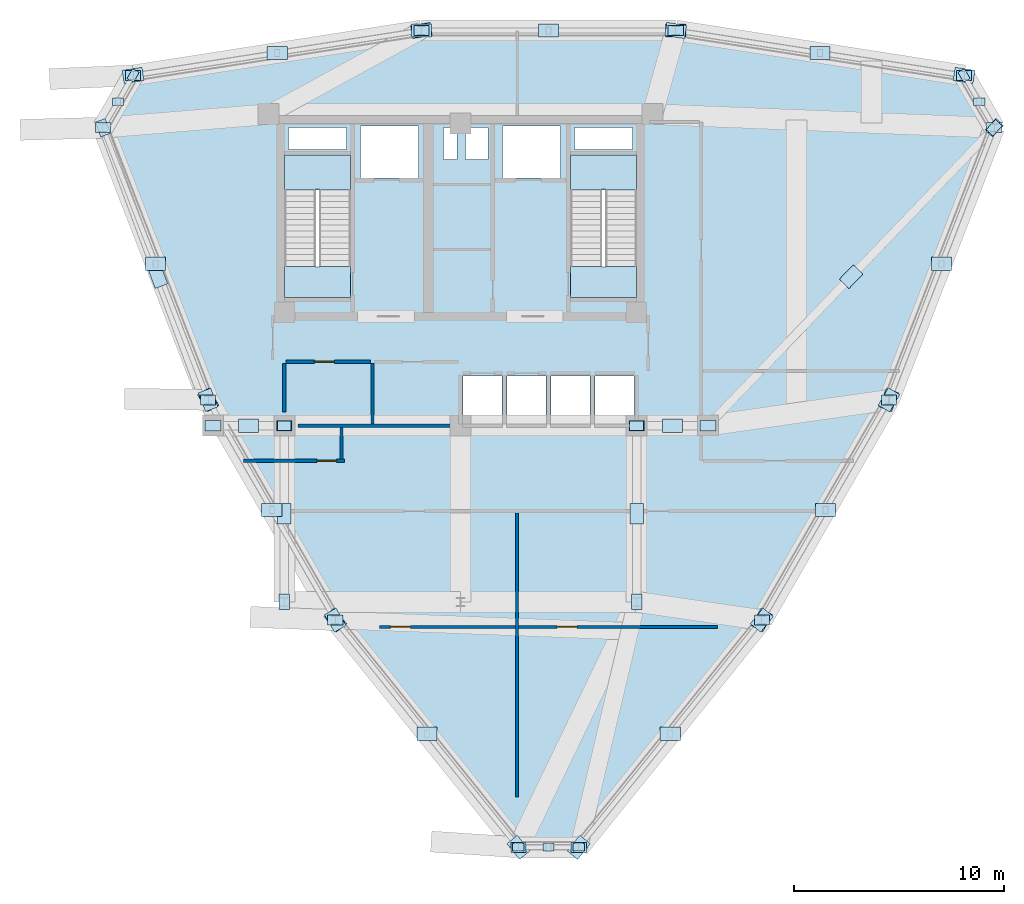
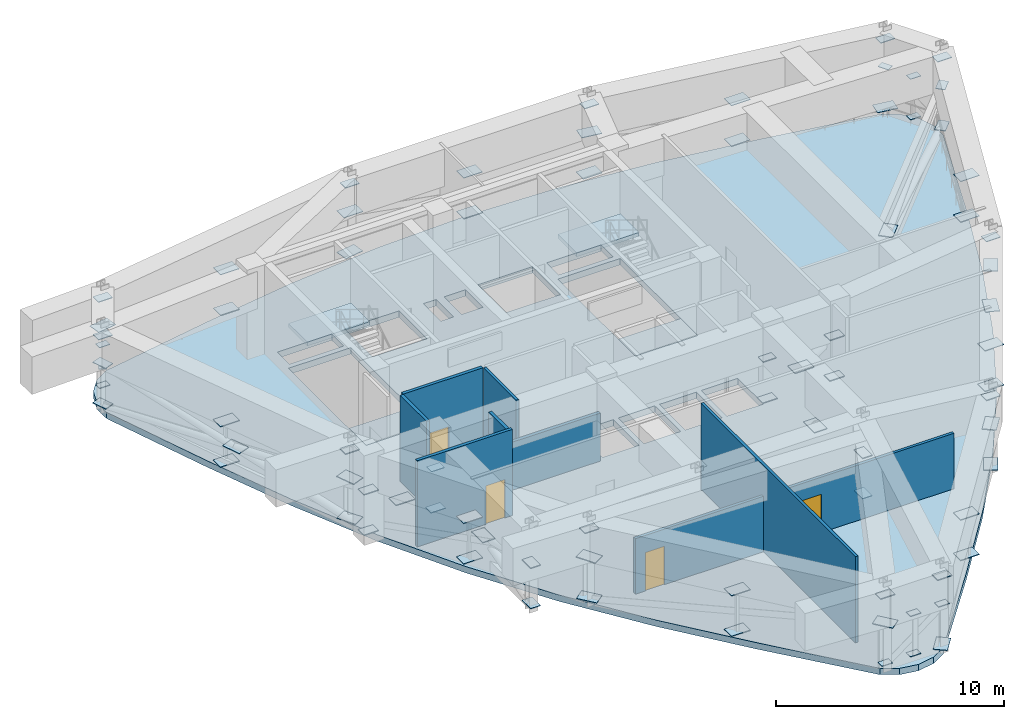
# One storey, part 7 of 11: 78 plates, 8 walls, 5 slabs, 4 doors, 4 openings, 2 elements without a shape of their own.
"""IFC4 building model written with IfcOpenShell, lengths in metres."""

from ifc_helpers import new_model, si_unit, derived_unit, direction, frame, frame_2d, origin, origin_2d, place, context, subcontext, project, spatial, polyline, rectangle, outline, extrude, source, transform, mapped, material, layer, layer_set, type_object, element, fill, aggregate, save


model = new_model("IFC4")

# Units and contexts
model_context = context("Model", 3, precision=1e-05, world=origin(), true_north=direction((0.0, 1.0)))
body_context = subcontext(model_context, "Body", "Model", "MODEL_VIEW")
ifc_project = project(units=[si_unit("LENGTHUNIT", "METRE"), si_unit("AREAUNIT", "SQUARE_METRE"), si_unit("VOLUMEUNIT", "CUBIC_METRE"), si_unit("PLANEANGLEUNIT", "RADIAN"), si_unit("MASSUNIT", "GRAM", prefix="KILO"), derived_unit("THERMALTRANSMITTANCEUNIT", [(si_unit("POWERUNIT", "WATT"), 1), (si_unit("LENGTHUNIT", "METRE"), -2), (si_unit("THERMODYNAMICTEMPERATUREUNIT", "KELVIN"), -1)])], contexts=[model_context])

# Site, building, storey
site_placement = place(None, origin())
site = spatial("IfcSite", under=ifc_project, at=site_placement, CompositionType="ELEMENT")
building_placement = place(site_placement, origin())
building = spatial("IfcBuilding", under=site, at=building_placement, Name="Korsvarv Bourse and Concert Hall", CompositionType="ELEMENT")
storey_placement = place(building_placement, frame((0.0, 0.0, 238.199951171875)))
storey = spatial("IfcBuildingStorey", under=building, at=storey_placement, Name="L62", CompositionType="ELEMENT", Elevation=238.199951171875)

# Slabs
ifc_material_1 = material(Name="Precast concrete C45/55", Category="concrete")
ifc_layer_1 = layer(ifc_material_1, 0.199951171875)
ifc_layer_set_1 = layer_set([ifc_layer_1], Name="Precast concrete C45/55")
slab_type_1 = type_object("IfcSlabType", Name="SLB-FLND-T", PredefinedType="LANDING", material=ifc_layer_set_1)
slab_1_placement = place(storey_placement, frame((0.0, 0.0, -0.199951171875)))
element("IfcSlab", 1, at=slab_1_placement, inside=storey, type_object=slab_type_1, Name="L62 Stair ST-T1 Floor Landing Slab", PredefinedType="LANDING", context=body_context, shape_type="SweptSolid", body=[
    extrude(outline(polyline([(30.760009765625, 38.5), (30.760009765625, 40.0), (27.60009765625, 40.0), (27.60009765625, 38.5), (30.760009765625, 38.5)])), origin(), (0.0, 0.0, 1.0), 0.199951171875),
])
slab_2_placement = place(storey_placement, frame((0.0, 0.0, -0.199951171875)))
element("IfcSlab", 2, at=slab_2_placement, inside=storey, type_object=slab_type_1, Name="L62 Stair ST-T2 Floor Landing Slab", PredefinedType="LANDING", context=body_context, shape_type="SweptSolid", body=[
    extrude(outline(polyline([(44.39990234375, 38.5), (44.39990234375, 40.0), (41.239990234375, 40.0), (41.239990234375, 38.5), (44.39990234375, 38.5)])), origin(), (0.0, 0.0, 1.0), 0.199951171875),
])
ifc_material_2 = material(Name="Concrete C55/67", Category="concrete")
ifc_layer_2 = layer(ifc_material_2, 0.340087890625)
ifc_layer_set_2 = layer_set([ifc_layer_2], Name="Concrete C55/67")
slab_type_2 = type_object("IfcSlabType", Name="SLB-REF", PredefinedType="FLOOR", material=ifc_layer_set_2)
slab_3_placement = place(storey_placement, frame((0.0, 0.0, -0.33984375)))
element("IfcSlab", 3, at=slab_3_placement, inside=storey, type_object=slab_type_2, Name="L62 tower structural floor slab", PredefinedType="FLOOR", context=body_context, shape_type="SweptSolid", body=[
    extrude(outline(polyline([(61.0341796875, 45.40966796875), (59.4189453125, 40.951416015625), (57.701904296875, 36.576416015625), (55.791015625, 32.33349609375), (53.622314453125, 28.25048828125), (51.170654296875, 24.330810546875), (48.45166015625, 20.554443359375), (45.521240234375, 16.88037109375), (42.468017578125, 13.252197265625), (42.46728515625, 13.251220703125), (41.80859375, 12.466552734375), (41.055908203125, 12.031982421875), (40.199951171875, 11.881103515625), (39.343994140625, 12.031982421875), (38.59130859375, 12.466552734375), (37.932861328125, 13.251220703125), (37.931884765625, 13.252197265625), (34.878662109375, 16.88037109375), (31.9482421875, 20.554443359375), (29.229248046875, 24.330810546875), (26.777587890625, 28.25048828125), (24.60888671875, 32.33349609375), (22.697998046875, 36.576416015625), (20.981201171875, 40.951416015625), (19.365966796875, 45.40966796875), (19.365478515625, 45.410888671875), (19.01513671875, 46.37353515625), (19.01513671875, 47.24267578125), (19.3125, 48.059326171875), (19.87109375, 48.725341796875), (20.623779296875, 49.159912109375), (21.632568359375, 49.337890625), (21.6337890625, 49.337890625), (26.302490234375, 50.168212890625), (30.94970703125, 50.868896484375), (35.57958984375, 51.33544921875), (40.199951171875, 51.498779296875), (44.8203125, 51.33544921875), (49.4501953125, 50.868896484375), (54.097412109375, 50.168212890625), (58.76611328125, 49.337890625), (58.767333984375, 49.337890625), (59.776123046875, 49.159912109375), (60.52880859375, 48.725341796875), (61.087646484375, 48.059326171875), (61.385009765625, 47.24267578125), (61.385009765625, 46.37353515625), (61.03466796875, 45.410888671875), (61.0341796875, 45.40966796875)]), holes=[polyline([(30.760009765625, 38.5), (30.760009765625, 45.300048828125), (27.60009765625, 45.300048828125), (27.60009765625, 38.5), (30.760009765625, 38.5)]), polyline([(44.39990234375, 38.5), (44.39990234375, 45.300048828125), (41.239990234375, 45.300048828125), (41.239990234375, 38.5), (44.39990234375, 38.5)]), polyline([(31.239990234375, 44.219970703125), (34.0, 44.219970703125), (34.0, 46.679931640625), (31.239990234375, 46.679931640625), (31.239990234375, 44.219970703125)]), polyline([(38.0, 44.219970703125), (40.760009765625, 44.219970703125), (40.760009765625, 46.679931640625), (38.0, 46.679931640625), (38.0, 44.219970703125)]), polyline([(36.1201171875, 32.52001953125), (37.97998046875, 32.52001953125), (37.97998046875, 34.780029296875), (36.1201171875, 34.780029296875), (36.1201171875, 32.52001953125)]), polyline([(38.219970703125, 32.52001953125), (40.080078125, 32.52001953125), (40.080078125, 34.780029296875), (38.219970703125, 34.780029296875), (38.219970703125, 32.52001953125)]), polyline([(40.320068359375, 32.52001953125), (42.179931640625, 32.52001953125), (42.179931640625, 34.780029296875), (40.320068359375, 34.780029296875), (40.320068359375, 32.52001953125)]), polyline([(42.419921875, 32.52001953125), (44.280029296875, 32.52001953125), (44.280029296875, 34.780029296875), (42.419921875, 34.780029296875), (42.419921875, 32.52001953125)]), polyline([(27.800048828125, 45.56005859375), (30.56005859375, 45.56005859375), (30.56005859375, 46.6201171875), (27.800048828125, 46.6201171875), (27.800048828125, 45.56005859375)]), polyline([(41.43994140625, 45.56005859375), (44.199951171875, 45.56005859375), (44.199951171875, 46.6201171875), (41.43994140625, 46.6201171875), (41.43994140625, 45.56005859375)]), polyline([(35.199951171875, 45.080078125), (35.840087890625, 45.080078125), (35.840087890625, 46.6201171875), (35.199951171875, 46.6201171875), (35.199951171875, 45.080078125)]), polyline([(36.239990234375, 45.080078125), (37.320068359375, 45.080078125), (37.320068359375, 46.6201171875), (36.239990234375, 46.6201171875), (36.239990234375, 45.080078125)])]), origin(), (0.0, 0.0, 1.0), 0.33984375),
])

# Stair, slab
stair_type = type_object("IfcStairType", Name="STR-TYPE-02", PredefinedType="HALF_TURN_STAIR", material=ifc_material_1)
stair_1_placement = place(storey_placement, origin())
stair_1 = element("IfcStair", 4, at=stair_1_placement, inside=storey, type_object=stair_type, Name="L62 Tower West Exit Stair ST-T1", PredefinedType="HALF_TURN_STAIR")
ifc_layer_3 = layer(ifc_material_1, 0.199951171875)
ifc_layer_set_3 = layer_set([ifc_layer_3], Name="Precast concrete C45/55")
slab_type_3 = type_object("IfcSlabType", Name="SLB-ST-LND", PredefinedType="LANDING", material=ifc_layer_set_3)
slab_4_placement = place(storey_placement, frame((0.0, 0.0, 2.199951171875)))
slab_4 = element("IfcSlab", 5, at=slab_4_placement, type_object=slab_type_3, Name="ST-T1 landing 1", PredefinedType="LANDING", context=body_context, shape_type="SweptSolid", body=[
    extrude(outline(polyline([(30.760009765625, 43.639892578125), (30.760009765625, 45.300048828125), (27.60009765625, 45.300048828125), (27.60009765625, 43.639892578125), (30.760009765625, 43.639892578125)])), origin(), (0.0, 0.0, 1.0), 0.2001953125),
])
aggregate(stair_1, [slab_4])

stair_2_placement = place(storey_placement, origin())
stair_2 = element("IfcStair", 6, at=stair_2_placement, inside=storey, type_object=stair_type, Name="L62 Tower East Exit Stair ST-T2", PredefinedType="HALF_TURN_STAIR")
slab_5_placement = place(storey_placement, frame((0.0, 0.0, 2.199951171875)))
slab_5 = element("IfcSlab", 7, at=slab_5_placement, type_object=slab_type_3, Name="ST-T2 landing 1", PredefinedType="LANDING", context=body_context, shape_type="SweptSolid", body=[
    extrude(outline(polyline([(44.39990234375, 43.639892578125), (44.39990234375, 45.300048828125), (41.239990234375, 45.300048828125), (41.239990234375, 43.639892578125), (44.39990234375, 43.639892578125)])), origin(), (0.0, 0.0, 1.0), 0.2001953125),
])
aggregate(stair_2, [slab_5])

# Plates
ifc_material_3 = material(Name="Steel S460", Category="steel")
ifc_layer_4 = layer(ifc_material_3, 0.033935546875)
ifc_layer_set_4 = layer_set([ifc_layer_4], Name="Steel S460")
plate_type_1 = type_object("IfcPlateType", Name="PLT-KN5", PredefinedType="SHEET", material=ifc_layer_set_4)
shared_shape_1 = source(origin(), body_context, "Body", "SweptSolid", [
    extrude(rectangle(XDim=0.719970703125, YDim=0.47998046875, at=origin_2d()), origin(), (0.0, 0.0, 1.0), 0.033935546875),
])
for number, where, z_axis, x_axis, name in (
    (8, (61.447265625, 46.606201171875, 4.0029296875), (0.0, 0.0, 1.0), (1.0, 0.0, 0.0), "L62 Block-Shift Transfer Splice Plate KN5-1"),
    (9, (60.009033203125, 49.09765625, 4.0029296875), (0.0, 0.0, 1.0), (1.0, 0.0, 0.0), "L62 Block-Shift Transfer Splice Plate KN5-2"),
    (10, (46.26171875, 51.2412109375, 4.0029296875), (0.0, 0.0, 1.0), (1.0, 0.0, 0.0), "L62 Block-Shift Transfer Splice Plate KN5-3"),
    (11, (34.13818359375, 51.2412109375, 4.0029296875), (0.0, 0.0, 1.0), (1.0, 0.0, 0.0), "L62 Block-Shift Transfer Splice Plate KN5-4"),
    (12, (20.39111328125, 49.09765625, 4.0029296875), (0.0, 0.0, 1.0), (1.0, 0.0, 0.0), "L62 Block-Shift Transfer Splice Plate KN5-5"),
    (13, (18.95263671875, 46.606201171875, 4.0029296875), (0.0, 0.0, 1.0), (1.0, 0.0, 0.0), "L62 Block-Shift Transfer Splice Plate KN5-6"),
    (14, (23.969970703125, 33.629150390625, 4.0029296875), (0.0, 0.0, 1.0), (1.0, 0.0, 0.0), "L62 Block-Shift Transfer Splice Plate KN5-7"),
    (15, (30.03173828125, 23.1298828125, 4.0029296875), (0.0, 0.0, 1.0), (1.0, 0.0, 0.0), "L62 Block-Shift Transfer Splice Plate KN5-8"),
    (16, (38.76171875, 12.296142578125, 4.0029296875), (0.0, 0.0, 1.0), (1.0, 0.0, 0.0), "L62 Block-Shift Transfer Splice Plate KN5-9"),
    (17, (41.638427734375, 12.296142578125, 4.0029296875), (0.0, 0.0, 1.0), (1.0, 0.0, 0.0), "L62 Block-Shift Transfer Splice Plate KN5-10"),
    (18, (50.368408203125, 23.1298828125, 4.0029296875), (0.0, 0.0, 1.0), (1.0, 0.0, 0.0), "L62 Block-Shift Transfer Splice Plate KN5-11"),
    (19, (56.43017578125, 33.629150390625, 4.0029296875), (0.0, 0.0, 1.0), (1.0, 0.0, 0.0), "L62 Block-Shift Transfer Splice Plate KN5-12"),
):
    element("IfcPlate", number, at=place(storey_placement, frame(where, z_axis=z_axis, x_axis=x_axis)), inside=storey, type_object=plate_type_1, Name=name, PredefinedType="SHEET", context=body_context, shape_type="MappedRepresentation", body=[
        mapped(shared_shape_1, transform((0.0, 0.0, 0.0), scale=1.0)),
    ])
ifc_layer_5 = layer(ifc_material_3, 0.034912109375)
ifc_layer_set_5 = layer_set([ifc_layer_5], Name="Steel S460")
plate_type_2 = type_object("IfcPlateType", Name="PLT-KN1", PredefinedType="SHEET", material=ifc_layer_set_5)
shared_shape_2 = source(origin(), body_context, "Body", "SweptSolid", [
    extrude(rectangle(XDim=0.75, YDim=0.5, at=origin_2d()), origin(), (0.0, 0.0, 1.0), 0.034912109375),
])
for number, where, z_axis, x_axis, name in (
    (20, (27.60009765625, 32.39990234375, 0.33251953125), (0.0, 0.0, 1.0), (1.0, 0.0, 0.0), "L62 node cap plate KN1"),
    (21, (24.199951171875, 32.39990234375, 0.33251953125), (0.0, 0.0, 1.0), (1.0, 0.0, 0.0), "L62 node cap plate KN1"),
    (22, (24.199951171875, 32.39990234375, 2.50244140625), (0.0, 0.0, 1.0), (1.0, 0.0, 0.0), "L62 node cap plate KN1"),
    (23, (18.95263671875, 46.606201171875, 0.33251953125), (0.0, 0.0, 1.0), (-0.346444526541, 0.938070461122, 0.0), "L62 node cap plate KN1"),
    (24, (18.95263671875, 46.606201171875, 2.50244140625), (0.0, 0.0, 1.0), (-0.346444526541, 0.938070461122, 0.0), "L62 node cap plate KN1"),
    (25, (44.39990234375, 32.39990234375, 0.33251953125), (0.0, 0.0, 1.0), (1.0, 0.0, 0.0), "L62 node cap plate KN1"),
    (26, (47.800048828125, 32.39990234375, 0.33251953125), (0.0, 0.0, 1.0), (1.0, 0.0, 0.0), "L62 node cap plate KN1"),
    (27, (47.800048828125, 32.39990234375, 2.50244140625), (0.0, 0.0, 1.0), (1.0, 0.0, 0.0), "L62 node cap plate KN1"),
    (28, (61.447265625, 46.606201171875, 0.33251953125), (0.0, 0.0, 1.0), (0.692772764861, 0.721155944485, 0.0), "L62 node cap plate KN1"),
    (29, (27.60009765625, 24.0, 0.33251953125), (0.0, 0.0, 1.0), (0.0, 1.0, 0.0), "L62 node cap plate KN1"),
    (30, (27.60009765625, 24.0, 2.50244140625), (0.0, 0.0, 1.0), (0.0, 1.0, 0.0), "L62 node cap plate KN1"),
    (31, (44.39990234375, 24.0, 0.33251953125), (0.0, 0.0, 1.0), (0.0, 1.0, 0.0), "L62 node cap plate KN1"),
    (32, (44.39990234375, 24.0, 2.50244140625), (0.0, 0.0, 1.0), (0.0, 1.0, 0.0), "L62 node cap plate KN1"),
):
    element("IfcPlate", number, at=place(storey_placement, frame(where, z_axis=z_axis, x_axis=x_axis)), inside=storey, type_object=plate_type_2, Name=name, PredefinedType="SHEET", context=body_context, shape_type="MappedRepresentation", body=[
        mapped(shared_shape_2, transform((0.0, 0.0, 0.0), scale=1.0)),
    ])
ifc_layer_6 = layer(ifc_material_3, 0.028076171875)
ifc_layer_set_6 = layer_set([ifc_layer_6], Name="Steel S460")
plate_type_3 = type_object("IfcPlateType", Name="PLT-KN3", PredefinedType="SHEET", material=ifc_layer_set_6)
shared_shape_3 = source(origin(), body_context, "Body", "SweptSolid", [
    extrude(rectangle(XDim=0.9599609375, YDim=0.639892578125, at=origin_2d()), origin(), (0.0, 0.0, 1.0), 0.028076171875),
])
for number, where, z_axis, x_axis, name in (
    (33, (25.89990234375, 32.39990234375, 1.4208984375), (0.0, 0.0, 1.0), (1.0, 0.0, 0.0), "L62 node cap plate KN3"),
    (34, (21.576416015625, 39.503173828125, 1.4208984375), (0.0, 0.0, 1.0), (-0.346444526541, 0.938070461122, 0.0), "L62 node cap plate KN3"),
    (35, (46.10009765625, 32.39990234375, 1.4208984375), (0.0, 0.0, 1.0), (1.0, 0.0, 0.0), "L62 node cap plate KN3"),
    (36, (54.62353515625, 39.503173828125, 1.4208984375), (0.0, 0.0, 1.0), (0.692772764861, 0.721155944485, 0.0), "L62 node cap plate KN3"),
    (37, (27.60009765625, 28.199951171875, 1.4208984375), (0.0, 0.0, 1.0), (0.0, 1.0, 0.0), "L62 node cap plate KN3"),
    (38, (44.39990234375, 28.199951171875, 1.4208984375), (0.0, 0.0, 1.0), (0.0, 1.0, 0.0), "L62 node cap plate KN3"),
    (39, (60.009033203125, 49.09765625, 0.3359375), (0.0, 0.0, 1.0), (-0.988067633226, 0.154020622552, 0.0), "L62 node cap plate KN3"),
    (40, (46.26171875, 51.2412109375, 2.505859375), (0.0, 0.0, 1.0), (-0.988067633226, 0.154020622552, 0.0), "L62 node cap plate KN3"),
    (41, (53.135498046875, 50.16943359375, 0.3359375), (0.0, 0.0, 1.0), (1.0, 0.0, 0.0), "L62 node cap plate KN3"),
    (42, (53.135498046875, 50.16943359375, 2.505859375), (0.0, 0.0, 1.0), (1.0, 0.0, 0.0), "L62 node cap plate KN3"),
    (43, (46.26171875, 51.2412109375, 0.3359375), (0.0, 0.0, 1.0), (1.0, 0.0, 0.0), "L62 node cap plate KN3"),
    (44, (34.13818359375, 51.2412109375, 2.505859375), (0.0, 0.0, 1.0), (1.0, 0.0, 0.0), "L62 node cap plate KN3"),
    (45, (40.199951171875, 51.2412109375, 0.3359375), (0.0, 0.0, 1.0), (1.0, 0.0, 0.0), "L62 node cap plate KN3"),
    (46, (40.199951171875, 51.2412109375, 2.505859375), (0.0, 0.0, 1.0), (1.0, 0.0, 0.0), "L62 node cap plate KN3"),
    (47, (34.13818359375, 51.2412109375, 0.3359375), (0.0, 0.0, 1.0), (0.988067633226, 0.154020622552, 0.0), "L62 node cap plate KN3"),
    (48, (20.39111328125, 49.09765625, 2.505859375), (0.0, 0.0, 1.0), (0.988067633226, 0.154020622552, 0.0), "L62 node cap plate KN3"),
    (49, (27.2646484375, 50.16943359375, 0.3359375), (0.0, 0.0, 1.0), (1.0, 0.0, 0.0), "L62 node cap plate KN3"),
    (50, (27.2646484375, 50.16943359375, 2.505859375), (0.0, 0.0, 1.0), (1.0, 0.0, 0.0), "L62 node cap plate KN3"),
    (51, (23.969970703125, 33.629150390625, 2.505859375), (0.0, 0.0, 1.0), (-0.360648044776, 0.932701982307, 0.0), "L62 node cap plate KN3"),
    (52, (21.461181640625, 40.11767578125, 0.3359375), (0.0, 0.0, 1.0), (1.0, 0.0, 0.0), "L62 node cap plate KN3"),
    (53, (21.461181640625, 40.11767578125, 2.505859375), (0.0, 0.0, 1.0), (1.0, 0.0, 0.0), "L62 node cap plate KN3"),
    (54, (23.969970703125, 33.629150390625, 0.3359375), (0.0, 0.0, 1.0), (-0.5, 0.866025403784, 0.0), "L62 node cap plate KN3"),
    (55, (30.03173828125, 23.1298828125, 2.505859375), (0.0, 0.0, 1.0), (-0.5, 0.866025403784, 0.0), "L62 node cap plate KN3"),
    (56, (27.000732421875, 28.37939453125, 0.3359375), (0.0, 0.0, 1.0), (1.0, 0.0, 0.0), "L62 node cap plate KN3"),
    (57, (27.000732421875, 28.37939453125, 2.505859375), (0.0, 0.0, 1.0), (1.0, 0.0, 0.0), "L62 node cap plate KN3"),
    (58, (30.03173828125, 23.1298828125, 0.3359375), (0.0, 0.0, 1.0), (-0.62741958845, 0.778681359755, 0.0), "L62 node cap plate KN3"),
    (59, (38.76171875, 12.296142578125, 2.505859375), (0.0, 0.0, 1.0), (-0.62741958845, 0.778681359755, 0.0), "L62 node cap plate KN3"),
    (60, (34.396728515625, 17.712890625, 0.3359375), (0.0, 0.0, 1.0), (1.0, 0.0, 0.0), "L62 node cap plate KN3"),
    (61, (34.396728515625, 17.712890625, 2.505859375), (0.0, 0.0, 1.0), (1.0, 0.0, 0.0), "L62 node cap plate KN3"),
    (62, (41.638427734375, 12.296142578125, 0.3359375), (0.0, 0.0, 1.0), (0.62741958845, 0.778681359755, 0.0), "L62 node cap plate KN3"),
    (63, (50.368408203125, 23.1298828125, 2.505859375), (0.0, 0.0, 1.0), (0.62741958845, 0.778681359755, 0.0), "L62 node cap plate KN3"),
    (64, (46.00341796875, 17.712890625, 0.3359375), (0.0, 0.0, 1.0), (1.0, 0.0, 0.0), "L62 node cap plate KN3"),
    (65, (46.00341796875, 17.712890625, 2.505859375), (0.0, 0.0, 1.0), (1.0, 0.0, 0.0), "L62 node cap plate KN3"),
    (66, (50.368408203125, 23.1298828125, 0.3359375), (0.0, 0.0, 1.0), (0.5, 0.866025403784, 0.0), "L62 node cap plate KN3"),
    (67, (56.43017578125, 33.629150390625, 2.505859375), (0.0, 0.0, 1.0), (0.5, 0.866025403784, 0.0), "L62 node cap plate KN3"),
    (68, (53.399169921875, 28.37939453125, 0.3359375), (0.0, 0.0, 1.0), (1.0, 0.0, 0.0), "L62 node cap plate KN3"),
    (69, (53.399169921875, 28.37939453125, 2.505859375), (0.0, 0.0, 1.0), (1.0, 0.0, 0.0), "L62 node cap plate KN3"),
    (70, (56.43017578125, 33.629150390625, 0.3359375), (0.0, 0.0, 1.0), (0.360648044776, 0.932701982307, 0.0), "L62 node cap plate KN3"),
    (71, (58.938720703125, 40.11767578125, 0.3359375), (0.0, 0.0, 1.0), (1.0, 0.0, 0.0), "L62 node cap plate KN3"),
    (72, (58.938720703125, 40.11767578125, 2.505859375), (0.0, 0.0, 1.0), (1.0, 0.0, 0.0), "L62 node cap plate KN3"),
):
    element("IfcPlate", number, at=place(storey_placement, frame(where, z_axis=z_axis, x_axis=x_axis)), inside=storey, type_object=plate_type_3, Name=name, PredefinedType="SHEET", context=body_context, shape_type="MappedRepresentation", body=[
        mapped(shared_shape_3, transform((0.0, 0.0, 0.0), scale=1.0)),
    ])
ifc_layer_7 = layer(ifc_material_3, 0.031982421875)
ifc_layer_set_7 = layer_set([ifc_layer_7], Name="Steel S460")
plate_type_4 = type_object("IfcPlateType", Name="PLT-KN2", PredefinedType="SHEET", material=ifc_layer_set_7)
shared_shape_4 = source(origin(), body_context, "Body", "SweptSolid", [
    extrude(rectangle(XDim=0.659912109375, YDim=0.43994140625, at=origin_2d()), origin(), (0.0, 0.0, 1.0), 0.031982421875),
])
for number, where, z_axis, x_axis, name in (
    (73, (27.60009765625, 32.39990234375, 2.50390625), (0.0, 0.0, 1.0), (1.0, 0.0, 0.0), "L62 node cap plate KN2"),
    (74, (44.39990234375, 32.39990234375, 2.50390625), (0.0, 0.0, 1.0), (1.0, 0.0, 0.0), "L62 node cap plate KN2"),
    (75, (61.447265625, 46.606201171875, 2.50390625), (0.0, 0.0, 1.0), (0.692772764861, 0.721155944485, 0.0), "L62 node cap plate KN2"),
):
    element("IfcPlate", number, at=place(storey_placement, frame(where, z_axis=z_axis, x_axis=x_axis)), inside=storey, type_object=plate_type_4, Name=name, PredefinedType="SHEET", context=body_context, shape_type="MappedRepresentation", body=[
        mapped(shared_shape_4, transform((0.0, 0.0, 0.0), scale=1.0)),
    ])
ifc_layer_8 = layer(ifc_material_3, 0.02587890625)
ifc_layer_set_8 = layer_set([ifc_layer_8], Name="Steel S460")
plate_type_5 = type_object("IfcPlateType", Name="PLT-KN4", PredefinedType="SHEET", material=ifc_layer_set_8)
shared_shape_5 = source(origin(), body_context, "Body", "SweptSolid", [
    extrude(rectangle(XDim=0.5400390625, YDim=0.360107421875, at=origin_2d()), origin(), (0.0, 0.0, 1.0), 0.02587890625),
])
for number, where, z_axis, x_axis, name in (
    (76, (60.009033203125, 49.09765625, 2.507080078125), (0.0, 0.0, 1.0), (-0.5, 0.866025403784, 0.0), "L62 node cap plate KN4"),
    (77, (60.72802734375, 47.85205078125, 0.337158203125), (0.0, 0.0, 1.0), (1.0, 0.0, 0.0), "L62 node cap plate KN4"),
    (78, (60.72802734375, 47.85205078125, 2.507080078125), (0.0, 0.0, 1.0), (1.0, 0.0, 0.0), "L62 node cap plate KN4"),
    (79, (20.39111328125, 49.09765625, 0.337158203125), (0.0, 0.0, 1.0), (0.5, 0.866025403784, 0.0), "L62 node cap plate KN4"),
    (80, (19.671875, 47.85205078125, 0.337158203125), (0.0, 0.0, 1.0), (1.0, 0.0, 0.0), "L62 node cap plate KN4"),
    (81, (19.671875, 47.85205078125, 2.507080078125), (0.0, 0.0, 1.0), (1.0, 0.0, 0.0), "L62 node cap plate KN4"),
    (82, (38.76171875, 12.296142578125, 0.337158203125), (0.0, 0.0, 1.0), (1.0, 0.0, 0.0), "L62 node cap plate KN4"),
    (83, (41.638427734375, 12.296142578125, 2.507080078125), (0.0, 0.0, 1.0), (1.0, 0.0, 0.0), "L62 node cap plate KN4"),
    (84, (40.199951171875, 12.296142578125, 0.337158203125), (0.0, 0.0, 1.0), (1.0, 0.0, 0.0), "L62 node cap plate KN4"),
    (85, (40.199951171875, 12.296142578125, 2.507080078125), (0.0, 0.0, 1.0), (1.0, 0.0, 0.0), "L62 node cap plate KN4"),
):
    element("IfcPlate", number, at=place(storey_placement, frame(where, z_axis=z_axis, x_axis=x_axis)), inside=storey, type_object=plate_type_5, Name=name, PredefinedType="SHEET", context=body_context, shape_type="MappedRepresentation", body=[
        mapped(shared_shape_5, transform((0.0, 0.0, 0.0), scale=1.0)),
    ])

# Walls
ifc_material_4 = material(Name="Double-stud fire-rated acoustic partition", Category="gypsum")
ifc_layer_9 = layer(ifc_material_4, 0.159912109375)
ifc_layer_set_9 = layer_set([ifc_layer_9], Name="Double-stud fire-rated acoustic partition")
wall_type_1 = type_object("IfcWallType", Name="WL-INT-EI60", PredefinedType="PARTITIONING", material=ifc_layer_set_9)
wall_1_placement = place(storey_placement, frame((28.25, 32.39990234375, 0.0), z_axis=(0.0, 0.0, 1.0), x_axis=(1.0, 0.0, 0.0)))
element("IfcWall", 86, at=wall_1_placement, inside=storey, type_object=wall_type_1, Name="L62 interior partition wall W-L62-FRD-S", PredefinedType="PARTITIONING", context=body_context, shape_type="SweptSolid", body=[
    extrude(rectangle(XDim=7.64990234375, YDim=0.159912109375, at=frame_2d((3.824951171875, 0.0))), origin(), (0.0, 0.0, 1.0), 2.570068359375),
])
wall_2_placement = place(storey_placement, frame((27.60009765625, 33.050048828125, 0.0), z_axis=(0.0, 0.0, 1.0), x_axis=(0.0, 1.0, 0.0)))
element("IfcWall", 87, at=wall_2_placement, inside=storey, type_object=wall_type_1, Name="L62 interior partition wall W-L62-FRD-W", PredefinedType="PARTITIONING", context=body_context, shape_type="SweptSolid", body=[
    extrude(rectangle(XDim=2.31005859375, YDim=0.159912109375, at=frame_2d((1.155029296875, 0.0))), origin(), (0.0, 0.0, 1.0), 4.610107421875),
])

# Wall, opening, door
wall_3_placement = place(storey_placement, frame((27.68994140625, 35.449951171875, 0.0), z_axis=(0.0, 0.0, 1.0), x_axis=(1.0, 0.0, 0.0)))
wall_3 = element("IfcWall", 88, at=wall_3_placement, inside=storey, type_object=wall_type_1, Name="L62 interior partition wall W-L62-FRD-N1", PredefinedType="PARTITIONING", context=body_context, shape_type="SweptSolid", body=[
    extrude(rectangle(XDim=4.030029296875, YDim=0.159912109375, at=frame_2d((2.01513671875, 0.0))), origin(), (0.0, 0.0, 1.0), 4.610107421875),
])
opening_1_placement = place(wall_3_placement, frame((1.35009765625, 0.0, 0.0)))
opening_1 = element("IfcOpeningElement", 89, at=opening_1_placement, cuts=wall_3, Name="Opening D-03", PredefinedType="OPENING", context=body_context, shape_type="SweptSolid", body=[
    extrude(rectangle(XDim=0.949951171875, YDim=2.050048828125, at=frame_2d((0.47509765625, 1.02490234375))), frame((0.0, 0.08984375, 0.0), z_axis=(0.0, -1.0, 0.0), x_axis=(1.0, 0.0, 0.0)), (0.0, 0.0, 1.0), 0.179931640625),
])
ifc_material_5 = material(Name="Nordic oak acoustic office door", Category="wood")
door_type_1 = type_object("IfcDoorType", Name="DR-INT-1", OperationType="NOTDEFINED", PredefinedType="DOOR", material=ifc_material_5)
door_1_placement = place(opening_1_placement, origin())
door_1 = element("IfcDoor", 90, at=door_1_placement, inside=storey, type_object=door_type_1, Name="L62 interior door DR-L62-FRDN1", OperationType="SINGLE_SWING_LEFT", OverallHeight=2.050048828125, OverallWidth=0.949951171875, PredefinedType="DOOR", context=body_context, shape_type="SweptSolid", body=[
    extrude(rectangle(XDim=0.949951171875, YDim=2.050048828125, at=frame_2d((0.47509765625, 1.02490234375))), frame((0.0, 0.02490234375, 0.0), z_axis=(0.0, -1.0, 0.0), x_axis=(1.0, 0.0, 0.0)), (0.0, 0.0, 1.0), 0.050048828125),
])
fill(opening_1, door_1)

wall_4_placement = place(storey_placement, frame((25.66650390625, 30.72509765625, 0.0), z_axis=(0.0, 0.0, 1.0), x_axis=(1.0, 0.0, 0.0)))
wall_4 = element("IfcWall", 91, at=wall_4_placement, inside=storey, type_object=wall_type_1, Name="L62 interior partition wall W-L62-RCOR-04", PredefinedType="PARTITIONING", context=body_context, shape_type="SweptSolid", body=[
    extrude(rectangle(XDim=4.8134765625, YDim=0.159912109375, at=frame_2d((2.40673828125, 0.0))), origin(), (0.0, 0.0, 1.0), 4.610107421875),
])
opening_2_placement = place(wall_4_placement, frame((3.4833984375, 0.0, 0.0)))
opening_2 = element("IfcOpeningElement", 92, at=opening_2_placement, cuts=wall_4, Name="Opening D-02", PredefinedType="OPENING", context=body_context, shape_type="SweptSolid", body=[
    extrude(rectangle(XDim=0.949951171875, YDim=2.050048828125, at=frame_2d((0.47509765625, 1.02490234375))), frame((0.0, 0.08984375, 0.0), z_axis=(0.0, -1.0, 0.0), x_axis=(1.0, 0.0, 0.0)), (0.0, 0.0, 1.0), 0.179931640625),
])
ifc_material_6 = material(Name="Timber and steel acoustic fire door", Category="wood")
door_type_2 = type_object("IfcDoorType", Name="DR-FD30", OperationType="NOTDEFINED", PredefinedType="DOOR", material=ifc_material_6)
door_2_placement = place(opening_2_placement, origin())
door_2 = element("IfcDoor", 93, at=door_2_placement, inside=storey, type_object=door_type_2, Name="L62 interior door DR-L62-RCOR-REFW2", OperationType="SINGLE_SWING_LEFT", OverallHeight=2.050048828125, OverallWidth=0.949951171875, PredefinedType="DOOR", context=body_context, shape_type="SweptSolid", body=[
    extrude(rectangle(XDim=0.949951171875, YDim=2.050048828125, at=frame_2d((0.47509765625, 1.02490234375))), frame((0.0, 0.02490234375, 0.0), z_axis=(0.0, -1.0, 0.0), x_axis=(1.0, 0.0, 0.0)), (0.0, 0.0, 1.0), 0.050048828125),
])
fill(opening_2, door_2)

# Walls
wall_5_placement = place(storey_placement, frame((30.324951171875, 30.806884765625, 0.0), z_axis=(0.0, 0.0, 1.0), x_axis=(0.0, 1.0, 0.0)))
element("IfcWall", 94, at=wall_5_placement, inside=storey, type_object=wall_type_1, Name="L62 interior partition wall W-L62-RCOR-06", PredefinedType="PARTITIONING", context=body_context, shape_type="SweptSolid", body=[
    extrude(rectangle(XDim=1.51123046875, YDim=0.159912109375, at=frame_2d((0.755615234375, 0.0))), origin(), (0.0, 0.0, 1.0), 4.610107421875),
])
ifc_material_7 = material(Name="Insulated steel-stud office acoustic partition", Category="gypsum")
ifc_layer_10 = layer(ifc_material_7, 0.139892578125)
ifc_layer_set_10 = layer_set([ifc_layer_10], Name="Insulated steel-stud office acoustic partition")
wall_type_2 = type_object("IfcWallType", Name="WL-INT-P1", PredefinedType="PARTITIONING", material=ifc_layer_set_10)
wall_6_placement = place(storey_placement, frame((31.800048828125, 32.489990234375, 0.0), z_axis=(0.0, 0.0, 1.0), x_axis=(0.0, 1.0, 0.0)))
element("IfcWall", 95, at=wall_6_placement, inside=storey, type_object=wall_type_2, Name="L62 interior partition wall W-L62-FRD-V", PredefinedType="PARTITIONING", context=body_context, shape_type="SweptSolid", body=[
    extrude(rectangle(XDim=2.8701171875, YDim=0.139892578125, at=frame_2d((1.43505859375, 0.0))), origin(), (0.0, 0.0, 1.0), 4.610107421875),
])

# Wall, openings, doors
wall_7_placement = place(storey_placement, frame((32.135986328125, 22.804931640625, 0.0), z_axis=(0.0, 0.0, 1.0), x_axis=(1.0, 0.0, 0.0)))
wall_7 = element("IfcWall", 96, at=wall_7_placement, inside=storey, type_object=wall_type_2, Name="L62 interior partition wall W-L62-RCOR-07", PredefinedType="PARTITIONING", context=body_context, shape_type="SweptSolid", body=[
    extrude(rectangle(XDim=16.1279296875, YDim=0.139892578125, at=frame_2d((8.06396484375, 0.0))), origin(), (0.0, 0.0, 1.0), 2.969970703125),
])
opening_3_placement = place(wall_7_placement, frame((0.5234375, 0.0, 0.0)))
opening_3 = element("IfcOpeningElement", 97, at=opening_3_placement, cuts=wall_7, Name="Opening D-03", PredefinedType="OPENING", context=body_context, shape_type="SweptSolid", body=[
    extrude(rectangle(XDim=0.949951171875, YDim=2.050048828125, at=frame_2d((0.47509765625, 1.02490234375))), frame((0.0, 0.080078125, 0.0), z_axis=(0.0, -1.0, 0.0), x_axis=(1.0, 0.0, 0.0)), (0.0, 0.0, 1.0), 0.159912109375),
])
opening_4_placement = place(wall_7_placement, frame((8.475830078125, 0.0, 0.0)))
opening_4 = element("IfcOpeningElement", 98, at=opening_4_placement, cuts=wall_7, Name="Opening D-03", PredefinedType="OPENING", context=body_context, shape_type="SweptSolid", body=[
    extrude(rectangle(XDim=0.949951171875, YDim=2.050048828125, at=frame_2d((0.47509765625, 1.02490234375))), frame((0.0, 0.080078125, 0.0), z_axis=(0.0, -1.0, 0.0), x_axis=(1.0, 0.0, 0.0)), (0.0, 0.0, 1.0), 0.159912109375),
])
door_3_placement = place(opening_3_placement, origin())
door_3 = element("IfcDoor", 99, at=door_3_placement, inside=storey, type_object=door_type_1, Name="L62 interior door DR-L62-RCOR-PL34", OperationType="SINGLE_SWING_RIGHT", OverallHeight=2.050048828125, OverallWidth=0.949951171875, PredefinedType="DOOR", context=body_context, shape_type="SweptSolid", body=[
    extrude(rectangle(XDim=0.949951171875, YDim=2.050048828125, at=frame_2d((0.47509765625, 1.02490234375))), frame((0.0, 0.02490234375, 0.0), z_axis=(0.0, -1.0, 0.0), x_axis=(1.0, 0.0, 0.0)), (0.0, 0.0, 1.0), 0.050048828125),
])
fill(opening_3, door_3)
door_4_placement = place(opening_4_placement, origin())
door_4 = element("IfcDoor", 100, at=door_4_placement, inside=storey, type_object=door_type_1, Name="L62 interior door DR-L62-RCOR-PL45", OperationType="SINGLE_SWING_LEFT", OverallHeight=2.050048828125, OverallWidth=0.949951171875, PredefinedType="DOOR", context=body_context, shape_type="SweptSolid", body=[
    extrude(rectangle(XDim=0.949951171875, YDim=2.050048828125, at=frame_2d((0.47509765625, 1.02490234375))), frame((0.0, 0.02490234375, 0.0), z_axis=(0.0, -1.0, 0.0), x_axis=(1.0, 0.0, 0.0)), (0.0, 0.0, 1.0), 0.050048828125),
])
fill(opening_4, door_4)

# Wall
wall_8_placement = place(storey_placement, frame((38.705078125, 14.6904296875, 0.0), z_axis=(0.0, 0.0, 1.0), x_axis=(0.0, 1.0, 0.0)))
element("IfcWall", 101, at=wall_8_placement, inside=storey, type_object=wall_type_2, Name="L62 interior partition wall W-L62-RCOR-08", PredefinedType="PARTITIONING", context=body_context, shape_type="SweptSolid", body=[
    extrude(rectangle(XDim=13.552490234375, YDim=0.139892578125, at=frame_2d((6.7763671875, 0.0))), origin(), (0.0, 0.0, 1.0), 4.610107421875),
])

save(model, "model.ifc")
